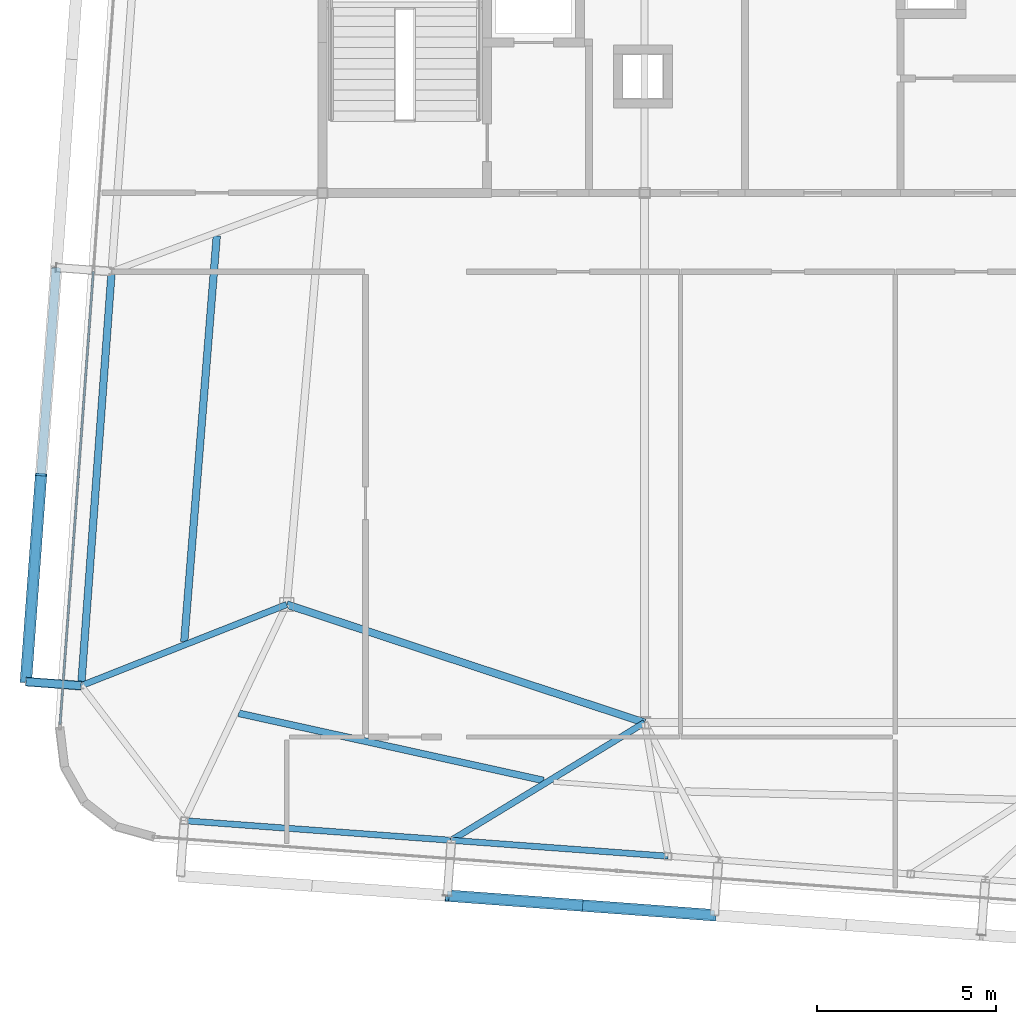
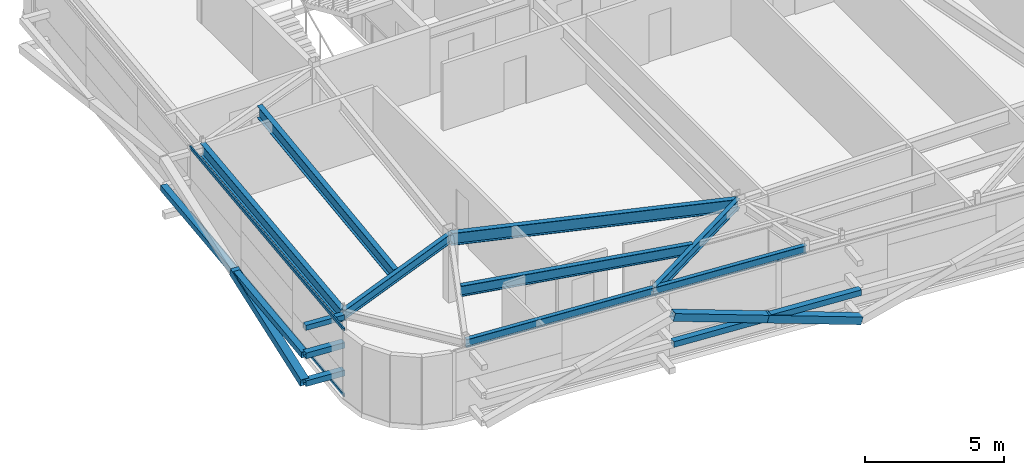
# One storey, part 10 of 34: 10 members, 8 beams, 1 element without a shape of its own.
"""IFC4 building model written with IfcOpenShell, lengths in metres."""

from ifc_helpers import new_model, si_unit, direction, frame, origin, origin_2d, place, context, subcontext, project, spatial, hollow_rectangle, i_section, extrude, source, transform, mapped, material, layer, layer_set, material_profile, profile_set, type_object, element, aggregate, save


model = new_model("IFC4")

# Units and contexts
model_context = context("Model", 3, precision=1e-05, world=origin(), true_north=direction((0.0, 1.0)))
body_context = subcontext(model_context, "Body", "Model", "MODEL_VIEW")
ifc_project = project(units=[si_unit("LENGTHUNIT", "METRE"), si_unit("AREAUNIT", "SQUARE_METRE"), si_unit("VOLUMEUNIT", "CUBIC_METRE"), si_unit("PLANEANGLEUNIT", "RADIAN"), si_unit("MASSUNIT", "GRAM", prefix="KILO")], contexts=[model_context])

# Site, building, storey
site_placement = place(None, origin())
site = spatial("IfcSite", under=ifc_project, at=site_placement, CompositionType="ELEMENT")
building_placement = place(site_placement, origin())
building = spatial("IfcBuilding", under=site, at=building_placement, Name="Taldren Reach Tower", CompositionType="ELEMENT")
storey_placement = place(building_placement, frame((0.0, 0.0, 242.89990234375)))
storey = spatial("IfcBuildingStorey", under=building, at=storey_placement, Name="L74", CompositionType="ELEMENT", Elevation=242.89990234375)

# Beams
ifc_material_1 = material(Name="Steel Gr 350 (350PLUS)", Category="steel")
ifc_material_profile_1 = material_profile(ifc_material_1, i_section(OverallWidth=0.208984375, OverallDepth=0.532958984375, WebThickness=0.01025390625, FlangeThickness=0.015625, at=origin_2d()), Name="530UB92.4")
ifc_profile_set_1 = profile_set([ifc_material_profile_1], Name="Steel Gr 350 (350PLUS)")
beam_type_1 = type_object("IfcBeamType", Name="BM-UB530A", PredefinedType="BEAM", material=ifc_profile_set_1)
shared_shape_1 = source(origin(), body_context, "Body", "SweptSolid", [
    extrude(i_section(OverallWidth=0.208984375, OverallDepth=0.532958984375, WebThickness=0.01025390625, FlangeThickness=0.015625, at=origin_2d()), origin(), (0.0, 0.0, 1.0), 10.530517578125),
])
beam_1_placement = place(storey_placement, frame((18.0, 12.5, 2.66357421875), z_axis=(0.949627269203, -0.313381635689, 0.0), x_axis=(0.313381635689, 0.949627269203, 0.0)))
element("IfcBeam", 1, at=beam_1_placement, inside=storey, type_object=beam_type_1, Name="Core-spine girder L74-SP10", PredefinedType="BEAM", context=body_context, shape_type="MappedRepresentation", body=[
    mapped(shared_shape_1, transform((0.0, 0.0, 0.0), scale=1.0)),
])
ifc_material_profile_2 = material_profile(ifc_material_1, i_section(OverallWidth=0.172119140625, OverallDepth=0.35888671875, WebThickness=0.008056640625, FlangeThickness=0.012939453125, at=origin_2d()), Name="360UB56.7")
ifc_profile_set_2 = profile_set([ifc_material_profile_2], Name="Steel Gr 350 (350PLUS)")
beam_type_2 = type_object("IfcBeamType", Name="SP-UB360", PredefinedType="SPANDREL", material=ifc_profile_set_2)
shared_shape_2 = source(origin(), body_context, "Body", "SweptSolid", [
    extrude(i_section(OverallWidth=0.172119140625, OverallDepth=0.35888671875, WebThickness=0.008056640625, FlangeThickness=0.012939453125, at=origin_2d()), origin(), (0.0, 0.0, 1.0), 7.47998046875),
])
beam_2_placement = place(storey_placement, frame((15.140625, 6.460205078125, 2.75048828125), z_axis=(0.997314220642, -0.07324169103, 0.0), x_axis=(0.07324169103, 0.997314220642, 0.0)))
element("IfcBeam", 2, at=beam_2_placement, inside=storey, type_object=beam_type_2, Name="Perimeter spandrel B5 S1-S2 L74", PredefinedType="SPANDREL", context=body_context, shape_type="MappedRepresentation", body=[
    mapped(shared_shape_2, transform((0.0, 0.0, 0.0), scale=1.0)),
])
shared_shape_3 = source(origin(), body_context, "Body", "SweptSolid", [
    extrude(i_section(OverallWidth=0.172119140625, OverallDepth=0.35888671875, WebThickness=0.008056640625, FlangeThickness=0.012939453125, at=origin_2d()), origin(), (0.0, 0.0, 1.0), 6.070068359375),
])
beam_3_placement = place(storey_placement, frame((22.6005859375, 5.912353515625, 2.75048828125), z_axis=(0.997314196413, -0.073242020958, 0.0), x_axis=(0.073242020958, 0.997314196413, 0.0)))
element("IfcBeam", 3, at=beam_3_placement, inside=storey, type_object=beam_type_2, Name="Perimeter spandrel B5 S2-PJ1 L74", PredefinedType="SPANDREL", context=body_context, shape_type="MappedRepresentation", body=[
    mapped(shared_shape_3, transform((0.0, 0.0, 0.0), scale=1.0)),
])
ifc_material_profile_3 = material_profile(ifc_material_1, i_section(OverallWidth=0.208984375, OverallDepth=0.528076171875, WebThickness=0.009521484375, FlangeThickness=0.01318359375, at=origin_2d()), Name="530UB82.0")
ifc_profile_set_3 = profile_set([ifc_material_profile_3], Name="Steel Gr 350 (350PLUS)")
beam_type_3 = type_object("IfcBeamType", Name="SP-UB530B", PredefinedType="SPANDREL", material=ifc_profile_set_3)
shared_shape_4 = source(origin(), body_context, "Body", "SweptSolid", [
    extrude(i_section(OverallWidth=0.208984375, OverallDepth=0.528076171875, WebThickness=0.009521484375, FlangeThickness=0.01318359375, at=origin_2d()), origin(), (0.0, 0.0, 1.0), 11.60009765625),
])
beam_4_placement = place(storey_placement, frame((13.108642578125, 21.80029296875, 2.666015625), z_axis=(-0.073242167855, -0.997314185625, 0.0), x_axis=(0.997314185625, -0.073242167855, 0.0)))
element("IfcBeam", 4, at=beam_4_placement, inside=storey, type_object=beam_type_3, Name="Perimeter spandrel B5 W2-W1 L74", PredefinedType="SPANDREL", context=body_context, shape_type="MappedRepresentation", body=[
    mapped(shared_shape_4, transform((0.0, 0.0, 0.0), scale=1.0)),
])
ifc_material_profile_4 = material_profile(ifc_material_1, i_section(OverallWidth=0.177978515625, OverallDepth=0.406005859375, WebThickness=0.0078125, FlangeThickness=0.0126953125, at=origin_2d()), Name="410UB59.7")
ifc_profile_set_4 = profile_set([ifc_material_profile_4], Name="Steel Gr 350 (350PLUS)")
beam_type_4 = type_object("IfcBeamType", Name="BM-UB410", PredefinedType="BEAM", material=ifc_profile_set_4)
shared_shape_5 = source(origin(), body_context, "Body", "SweptSolid", [
    extrude(i_section(OverallWidth=0.177978515625, OverallDepth=0.406005859375, WebThickness=0.0078125, FlangeThickness=0.0126953125, at=origin_2d()), origin(), (0.0, 0.0, 1.0), 6.321533203125),
])
beam_5_placement = place(storey_placement, frame((28.0, 9.199951171875, 2.72705078125), z_axis=(-0.854128445192, -0.520062110823, 0.0), x_axis=(0.520062110823, -0.854128445192, 0.0)))
element("IfcBeam", 5, at=beam_5_placement, inside=storey, type_object=beam_type_4, Name="Primary floor girder B5-S2 L74", PredefinedType="BEAM", context=body_context, shape_type="MappedRepresentation", body=[
    mapped(shared_shape_5, transform((0.0, 0.0, 0.0), scale=1.0)),
])
shared_shape_6 = source(origin(), body_context, "Body", "SweptSolid", [
    extrude(i_section(OverallWidth=0.177978515625, OverallDepth=0.406005859375, WebThickness=0.0078125, FlangeThickness=0.0126953125, at=origin_2d()), origin(), (0.0, 0.0, 1.0), 6.1728515625),
])
beam_6_placement = place(storey_placement, frame((18.0, 12.5, 2.72705078125), z_axis=(-0.930023287794, -0.367500590695, 0.0), x_axis=(0.367500590695, -0.930023287794, 0.0)))
element("IfcBeam", 6, at=beam_6_placement, inside=storey, type_object=beam_type_4, Name="Primary floor girder B5-W1 L74", PredefinedType="BEAM", context=body_context, shape_type="MappedRepresentation", body=[
    mapped(shared_shape_6, transform((0.0, 0.0, 0.0), scale=1.0)),
])
ifc_material_profile_5 = material_profile(ifc_material_1, i_section(OverallWidth=0.19091796875, OverallDepth=0.4599609375, WebThickness=0.010009765625, FlangeThickness=0.01611328125, at=origin_2d()), Name="460UB82.1")
ifc_profile_set_5 = profile_set([ifc_material_profile_5], Name="Steel Gr 350 (350PLUS)")
beam_type_5 = type_object("IfcBeamType", Name="BM-UB460A", PredefinedType="BEAM", material=ifc_profile_set_5)
shared_shape_7 = source(origin(), body_context, "Body", "SweptSolid", [
    extrude(i_section(OverallWidth=0.19091796875, OverallDepth=0.4599609375, WebThickness=0.010009765625, FlangeThickness=0.01611328125, at=origin_2d()), origin(), (0.0, 0.0, 1.0), 8.719482421875),
])
beam_7_placement = place(storey_placement, frame((16.659423828125, 9.46044921875, 2.7001953125), z_axis=(0.976568964704, -0.2152046867, 0.0), x_axis=(0.2152046867, 0.976568964704, 0.0)))
element("IfcBeam", 7, at=beam_7_placement, inside=storey, type_object=beam_type_5, Name="Secondary floor beam B5 J1 L74", PredefinedType="BEAM", context=body_context, shape_type="MappedRepresentation", body=[
    mapped(shared_shape_7, transform((0.0, 0.0, 0.0), scale=1.0)),
])
shared_shape_8 = source(origin(), body_context, "Body", "SweptSolid", [
    extrude(i_section(OverallWidth=0.208984375, OverallDepth=0.532958984375, WebThickness=0.01025390625, FlangeThickness=0.015625, at=origin_2d()), origin(), (0.0, 0.0, 1.0), 11.3740234375),
])
beam_8_placement = place(storey_placement, frame((15.137451171875, 11.464599609375, 2.66357421875), z_axis=(0.079913287803, 0.996801819036, 0.0), x_axis=(-0.996801819036, 0.079913287803, 0.0)))
element("IfcBeam", 8, at=beam_8_placement, inside=storey, type_object=beam_type_1, Name="Secondary floor beam B5 J6 L74", PredefinedType="BEAM", context=body_context, shape_type="MappedRepresentation", body=[
    mapped(shared_shape_8, transform((0.0, 0.0, 0.0), scale=1.0)),
])

# Members
ifc_material_2 = material(Name="Steel Gr 450 (C450L0)", Category="steel")
ifc_material_profile_6 = material_profile(ifc_material_2, hollow_rectangle(XDim=0.219970703125, YDim=0.219970703125, WallThickness=0.00830078125, at=origin_2d()), Name="220x220x8.2SHS")
ifc_profile_set_6 = profile_set([ifc_material_profile_6], Name="Steel Gr 450 (C450L0)")
member_type_1 = type_object("IfcMemberType", Name="MB-TIE219", PredefinedType="STRUT", material=ifc_profile_set_6)
shared_shape_9 = source(origin(), body_context, "Body", "SweptSolid", [
    extrude(hollow_rectangle(XDim=0.219970703125, YDim=0.219970703125, WallThickness=0.00830078125, at=origin_2d()), origin(), (0.0, 0.0, 1.0), 1.5458984375),
])
member_1_placement = place(storey_placement, frame((12.255126953125, 10.231689453125, 2.650146484375), z_axis=(-0.997311530447, 0.073278313559, 0.0), x_axis=(-0.073278313559, -0.997311530447, 0.0)))
element("IfcMember", 9, at=member_1_placement, inside=storey, type_object=member_type_1, Name="Exoskeleton diaphragm tie strut B5-W1 L74", PredefinedType="STRUT", context=body_context, shape_type="MappedRepresentation", body=[
    mapped(shared_shape_9, transform((0.0, 0.0, 0.0), scale=1.0)),
])
ifc_material_profile_7 = material_profile(ifc_material_2, hollow_rectangle(XDim=0.324951171875, YDim=0.324951171875, WallThickness=0.0126953125, at=origin_2d()), Name="325x325x12.7SHS")
ifc_profile_set_7 = profile_set([ifc_material_profile_7], Name="Steel Gr 450 (C450L0)")
member_type_2 = type_object("IfcMemberType", Name="MB-BR324", PredefinedType="BRACE", material=ifc_profile_set_7)
shared_shape_10 = source(origin(), body_context, "Body", "SweptSolid", [
    extrude(hollow_rectangle(XDim=0.324951171875, YDim=0.324951171875, WallThickness=0.0126953125, at=origin_2d()), origin(), (0.0, 0.0, 1.0), 3.932373046875),
])
for number, where, z_axis, x_axis, name in (
    (10, (29.947021484375, 3.81884765625, 0.22021484375), (-0.948529326954, 0.06965898055, 0.308933232813), (-0.07324169103, -0.997314220642, 0.0), "Exoskeleton Diagrid Brace B5-S2 L74"),
    (11, (26.217041015625, 4.0927734375, 1.43505859375), (-0.948511132845, 0.069657644394, 0.308989390507), (-0.07324169103, -0.997314220642, 0.0), "Exoskeleton Diagrid Brace B5-S2 L74"),
):
    element("IfcMember", number, at=place(storey_placement, frame(where, z_axis=z_axis, x_axis=x_axis)), inside=storey, type_object=member_type_2, Name=name, PredefinedType="BRACE", context=body_context, shape_type="MappedRepresentation", body=[
        mapped(shared_shape_10, transform((0.0, 0.0, 0.0), scale=1.0)),
    ])
ifc_material_3 = material(Name="Steel Gr 350 (C350L0)", Category="steel")
ifc_material_profile_8 = material_profile(ifc_material_3, hollow_rectangle(XDim=0.25, YDim=0.25, WallThickness=0.010009765625, at=origin_2d()), Name="250x250x10.0SHS")
ifc_profile_set_8 = profile_set([ifc_material_profile_8], Name="Steel Gr 350 (C350L0)")
member_type_3 = type_object("IfcMemberType", Name="MB-POST250", PredefinedType="POST", material=ifc_profile_set_8)
shared_shape_11 = source(origin(), body_context, "Body", "SweptSolid", [
    extrude(hollow_rectangle(XDim=0.25, YDim=0.25, WallThickness=0.010009765625, at=origin_2d()), origin(), (0.0, 0.0, 1.0), 7.47998046875),
])
member_2_placement = place(storey_placement, frame((22.487060546875, 4.36669921875, 1.43505859375), z_axis=(0.997314220642, -0.07324169103, 0.0), x_axis=(0.07324169103, 0.997314220642, 0.0)))
element("IfcMember", 12, at=member_2_placement, inside=storey, type_object=member_type_3, Name="Exoskeleton mid-height ring chord B5-S2 L74", PredefinedType="POST", context=body_context, shape_type="MappedRepresentation", body=[
    mapped(shared_shape_11, transform((0.0, 0.0, 0.0), scale=1.0)),
])
shared_shape_12 = source(origin(), body_context, "Body", "SweptSolid", [
    extrude(hollow_rectangle(XDim=0.324951171875, YDim=0.324951171875, WallThickness=0.0126953125, at=origin_2d()), origin(), (0.0, 0.0, 1.0), 5.92578125),
])
member_3_placement = place(storey_placement, frame((10.71337890625, 10.344970703125, 0.22021484375), z_axis=(0.071645553297, 0.976134614303, 0.205007632667), x_axis=(-0.997317259472, 0.073200300267, 0.0)))
element("IfcMember", 13, at=member_3_placement, inside=storey, type_object=member_type_2, Name="Exoskeleton Diagrid Brace B5-W1 L74", PredefinedType="BRACE", context=body_context, shape_type="MappedRepresentation", body=[
    mapped(shared_shape_12, transform((0.0, 0.0, 0.0), scale=1.0)),
])
shared_shape_13 = source(origin(), body_context, "Body", "SweptSolid", [
    extrude(hollow_rectangle(XDim=0.25, YDim=0.25, WallThickness=0.010009765625, at=origin_2d()), origin(), (0.0, 0.0, 1.0), 11.60009765625),
])
member_4_placement = place(storey_placement, frame((10.71337890625, 10.344970703125, 1.43505859375), z_axis=(0.073221234109, 0.997315722766, 0.0), x_axis=(-0.997315722766, 0.073221234109, 0.0)))
element("IfcMember", 14, at=member_4_placement, inside=storey, type_object=member_type_3, Name="Exoskeleton mid-height ring chord B5-W1 L74", PredefinedType="POST", context=body_context, shape_type="MappedRepresentation", body=[
    mapped(shared_shape_13, transform((0.0, 0.0, 0.0), scale=1.0)),
])
shared_shape_14 = source(origin(), body_context, "Body", "SweptSolid", [
    extrude(hollow_rectangle(XDim=0.25, YDim=0.25, WallThickness=0.010009765625, at=origin_2d()), origin(), (0.0, 0.0, 1.0), 1.5458984375),
])
for number, where, z_axis, x_axis, name in (
    (15, (12.255126953125, 10.231689453125, 0.22021484375), (-0.997311530447, 0.073278313559, 0.0), (-0.073278313559, -0.997311530447, 0.0), "Exoskeleton base diaphragm tie strut B5-W1 L74"),
    (16, (12.255126953125, 10.231689453125, 1.43505859375), (-0.997311530447, 0.073278313559, 0.0), (-0.073278313559, -0.997311530447, 0.0), "Exoskeleton mid-tier diaphragm tie B5-W1 L74"),
):
    element("IfcMember", number, at=place(storey_placement, frame(where, z_axis=z_axis, x_axis=x_axis)), inside=storey, type_object=member_type_3, Name=name, PredefinedType="POST", context=body_context, shape_type="MappedRepresentation", body=[
        mapped(shared_shape_14, transform((0.0, 0.0, 0.0), scale=1.0)),
    ])

# Curtain wall, members
ifc_material_4 = material(Name="Aluminium and Low-E Glass Unitised System", Category="aluminium")
ifc_layer = layer(ifc_material_4, 0.159912109375)
ifc_layer_set = layer_set([ifc_layer], Name="Aluminium and Low-E Glass Unitised System")
curtain_wall_type = type_object("IfcCurtainWallType", Name="CW-SYS-6", PredefinedType="NOTDEFINED", material=ifc_layer_set)
curtain_wall_placement = place(storey_placement, origin())
curtain_wall = element("IfcCurtainWall", 17, at=curtain_wall_placement, inside=storey, type_object=curtain_wall_type, Name="Unitised curtain wall CW-L74-W", PredefinedType="NOTDEFINED")
ifc_material_5 = material(Name="Anodised Aluminium 6063-T6", Category="aluminium")
ifc_material_profile_9 = material_profile(ifc_material_5, hollow_rectangle(XDim=0.06005859375, YDim=0.135009765625, WallThickness=0.00341796875, at=origin_2d()), Name="ALU-135x60x3.5RHS")
ifc_profile_set_9 = profile_set([ifc_material_profile_9], Name="Anodised Aluminium 6063-T6")
member_type_4 = type_object("IfcMemberType", Name="CW-TRN-150", PredefinedType="USERDEFINED", material=ifc_profile_set_9)
shared_shape_15 = source(origin(), body_context, "Body", "SweptSolid", [
    extrude(hollow_rectangle(XDim=0.06005859375, YDim=0.135009765625, WallThickness=0.00341796875, at=origin_2d()), origin(), (0.0, 0.0, 1.0), 12.687744140625),
])
member_5_placement = place(storey_placement, frame((12.597412109375, 21.80029296875, 0.030029296875), z_axis=(-0.073236592425, -0.997314595065, 0.0), x_axis=(0.997314595065, -0.073236592425, 0.0)))
member_5 = element("IfcMember", 18, at=member_5_placement, type_object=member_type_4, Name="CW-6 transom 2.1", ObjectType="TRANSOM", PredefinedType="USERDEFINED", context=body_context, shape_type="MappedRepresentation", body=[
    mapped(shared_shape_15, transform((0.0, 0.0, 0.0), scale=1.0)),
])
member_6_placement = place(storey_placement, frame((12.597412109375, 21.80029296875, 2.900146484375), z_axis=(-0.073236592425, -0.997314595065, 0.0), x_axis=(0.997314595065, -0.073236592425, 0.0)))
member_6 = element("IfcMember", 19, at=member_6_placement, type_object=member_type_4, Name="CW-6 transom 2.2", ObjectType="TRANSOM", PredefinedType="USERDEFINED", context=body_context, shape_type="MappedRepresentation", body=[
    mapped(shared_shape_15, transform((0.0, 0.0, 0.0), scale=1.0)),
])
aggregate(curtain_wall, [member_5, member_6])

save(model, "model.ifc")
